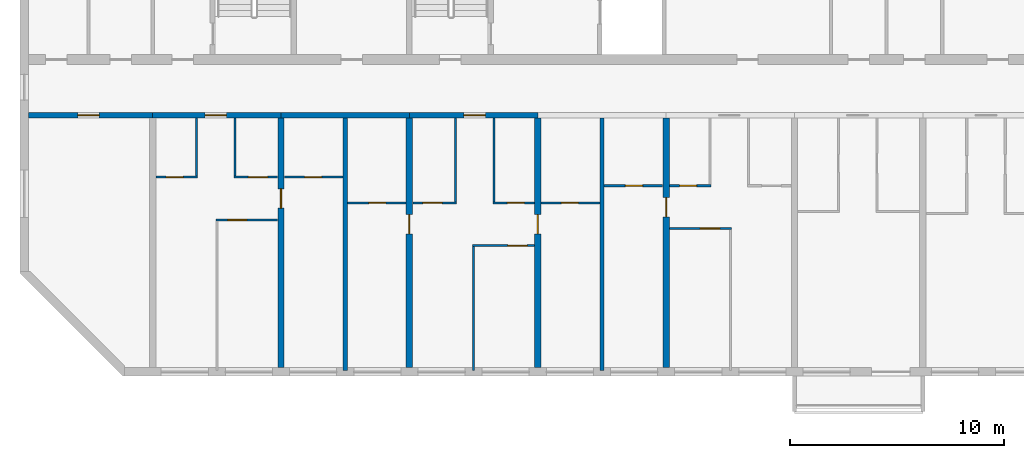
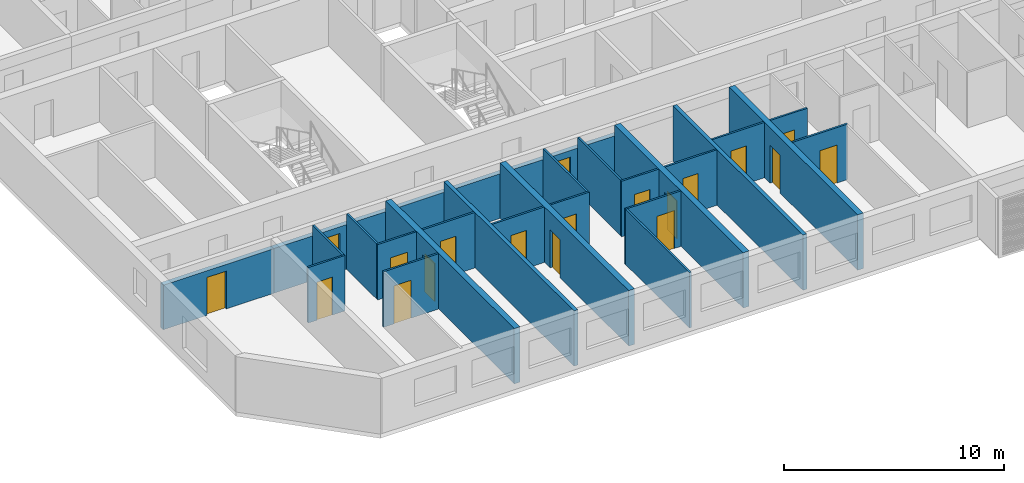
# One storey, part 2 of 31: 27 walls, 19 doors, 19 openings.
"""IFC4 building model written with IfcOpenShell, lengths in metres."""

from ifc_helpers import new_model, si_unit, direction, frame, frame_2d, origin, place, context, subcontext, project, spatial, rectangle, extrude, material, layer, layer_set, type_object, element, fill, save


model = new_model("IFC4")

# Units and contexts
model_context = context("Model", 3, precision=1e-05, world=origin(), true_north=direction((0.0, 1.0)))
body_context = subcontext(model_context, "Body", "Model", "MODEL_VIEW")
ifc_project = project(units=[si_unit("LENGTHUNIT", "METRE"), si_unit("AREAUNIT", "SQUARE_METRE"), si_unit("VOLUMEUNIT", "CUBIC_METRE"), si_unit("PLANEANGLEUNIT", "RADIAN"), si_unit("MASSUNIT", "GRAM", prefix="KILO")], contexts=[model_context])

# Site, building, storey
site_placement = place(None, origin())
site = spatial("IfcSite", under=ifc_project, at=site_placement, CompositionType="ELEMENT")
building_placement = place(site_placement, origin())
building = spatial("IfcBuilding", under=site, at=building_placement, Name="Poui Terraces", CompositionType="ELEMENT")
storey_placement = place(building_placement, frame((0.0, 0.0, 142.199951171875)))
storey = spatial("IfcBuildingStorey", under=building, at=storey_placement, Name="L39", CompositionType="ELEMENT", Elevation=142.199951171875)

# Wall, opening, door
ifc_material_1 = material(Name="Concrete 65 MPa", Category="concrete")
ifc_layer_1 = layer(ifc_material_1, 0.25)
ifc_layer_set_1 = layer_set([ifc_layer_1], Name="Concrete 65 MPa")
wall_type_1 = type_object("IfcWallType", Name="CORRIDOR WALL 250 65MPa", PredefinedType="SHEAR", material=ifc_layer_set_1)
wall_1_placement = place(storey_placement, frame((12.199951171875, 12.0, 0.0), z_axis=(0.0, 0.0, 1.0), x_axis=(1.0, 0.0, 0.0)))
wall_1 = element("IfcWall", 1, at=wall_1_placement, inside=storey, type_object=wall_type_1, Name="CORRIDOR WALL LINE B BAY 1", PredefinedType="SHEAR", context=body_context, shape_type="SweptSolid", body=[
    extrude(rectangle(XDim=5.800048828125, YDim=0.25, at=frame_2d((2.89990234375, 0.0))), origin(), (0.0, 0.0, 1.0), 2.469970703125),
])
opening_1_placement = place(wall_1_placement, frame((2.300048828125, 0.0, 0.0)))
opening_1 = element("IfcOpeningElement", 2, at=opening_1_placement, cuts=wall_1, Name="Opening D100", PredefinedType="OPENING", context=body_context, shape_type="SweptSolid", body=[
    extrude(rectangle(XDim=1.0, YDim=2.10009765625, at=frame_2d((0.5, 1.050048828125))), frame((0.0, 0.135009765625, 0.0), z_axis=(0.0, -1.0, 0.0), x_axis=(1.0, 0.0, 0.0)), (0.0, 0.0, 1.0), 0.27001953125),
])
ifc_material_2 = material(Name="Solid core timber door", Category="wood")
door_type_1 = type_object("IfcDoorType", Name="ACCESSIBLE INTERNAL DOOR 1000 X 2100", OperationType="NOTDEFINED", PredefinedType="DOOR", material=ifc_material_2)
door_1_placement = place(opening_1_placement, frame((1.0, 0.0, 0.0), z_axis=(0.0, 0.0, 1.0), x_axis=(-1.0, 0.0, 0.0)))
door_1 = element("IfcDoor", 3, at=door_1_placement, inside=storey, type_object=door_type_1, Name="ACCESSIBLE INTERNAL DOOR 077", OperationType="SINGLE_SWING_RIGHT", OverallHeight=2.10009765625, OverallWidth=1.0, PredefinedType="DOOR", context=body_context, shape_type="SweptSolid", body=[
    extrude(rectangle(XDim=1.0, YDim=2.10009765625, at=frame_2d((0.5, 1.050048828125))), frame((0.0, 0.02490234375, 0.0), z_axis=(0.0, -1.0, 0.0), x_axis=(1.0, 0.0, 0.0)), (0.0, 0.0, 1.0), 0.050048828125),
])
fill(opening_1, door_1)

wall_2_placement = place(storey_placement, frame((18.0, 12.0, 0.0), z_axis=(0.0, 0.0, 1.0), x_axis=(1.0, 0.0, 0.0)))
wall_2 = element("IfcWall", 4, at=wall_2_placement, inside=storey, type_object=wall_type_1, Name="CORRIDOR WALL LINE B BAY 2", PredefinedType="SHEAR", context=body_context, shape_type="SweptSolid", body=[
    extrude(rectangle(XDim=6.0, YDim=0.25, at=frame_2d((3.0, 0.0))), origin(), (0.0, 0.0, 1.0), 2.469970703125),
])
opening_2_placement = place(wall_2_placement, frame((2.449951171875, 0.0, 0.0)))
opening_2 = element("IfcOpeningElement", 5, at=opening_2_placement, cuts=wall_2, Name="Opening FD30S", PredefinedType="OPENING", context=body_context, shape_type="SweptSolid", body=[
    extrude(rectangle(XDim=1.0, YDim=2.10009765625, at=frame_2d((0.5, 1.050048828125))), frame((0.0, 0.135009765625, 0.0), z_axis=(0.0, -1.0, 0.0), x_axis=(1.0, 0.0, 0.0)), (0.0, 0.0, 1.0), 0.27001953125),
])
ifc_material_3 = material(Name="Steel fire door", Category="steel")
door_type_2 = type_object("IfcDoorType", Name="FLAT ENTRANCE DOOR 1000 X 2100", OperationType="NOTDEFINED", PredefinedType="DOOR", material=ifc_material_3)
door_2_placement = place(opening_2_placement, frame((1.0, 0.0, 0.0), z_axis=(0.0, 0.0, 1.0), x_axis=(-1.0, 0.0, 0.0)))
door_2 = element("IfcDoor", 6, at=door_2_placement, inside=storey, type_object=door_type_2, Name="FLAT ENTRANCE DOOR 080", OperationType="SINGLE_SWING_RIGHT", OverallHeight=2.10009765625, OverallWidth=1.0, PredefinedType="DOOR", context=body_context, shape_type="SweptSolid", body=[
    extrude(rectangle(XDim=1.0, YDim=2.10009765625, at=frame_2d((0.5, 1.050048828125))), frame((0.0, 0.02490234375, 0.0), z_axis=(0.0, -1.0, 0.0), x_axis=(1.0, 0.0, 0.0)), (0.0, 0.0, 1.0), 0.050048828125),
])
fill(opening_2, door_2)

# Wall
wall_3_placement = place(storey_placement, frame((24.0, 12.0, 0.0), z_axis=(0.0, 0.0, 1.0), x_axis=(1.0, 0.0, 0.0)))
element("IfcWall", 7, at=wall_3_placement, inside=storey, type_object=wall_type_1, Name="CORRIDOR WALL LINE B BAY 3", PredefinedType="SHEAR", context=body_context, shape_type="SweptSolid", body=[
    extrude(rectangle(XDim=6.0, YDim=0.25, at=frame_2d((3.0, 0.0))), origin(), (0.0, 0.0, 1.0), 2.469970703125),
])

# Wall, opening, door
wall_4_placement = place(storey_placement, frame((30.0, 12.0, 0.0), z_axis=(0.0, 0.0, 1.0), x_axis=(1.0, 0.0, 0.0)))
wall_4 = element("IfcWall", 8, at=wall_4_placement, inside=storey, type_object=wall_type_1, Name="CORRIDOR WALL LINE B BAY 4", PredefinedType="SHEAR", context=body_context, shape_type="SweptSolid", body=[
    extrude(rectangle(XDim=6.0, YDim=0.25, at=frame_2d((3.0, 0.0))), origin(), (0.0, 0.0, 1.0), 2.469970703125),
])
opening_3_placement = place(wall_4_placement, frame((2.550048828125, 0.0, 0.0)))
opening_3 = element("IfcOpeningElement", 9, at=opening_3_placement, cuts=wall_4, Name="Opening FD30S", PredefinedType="OPENING", context=body_context, shape_type="SweptSolid", body=[
    extrude(rectangle(XDim=1.0, YDim=2.10009765625, at=frame_2d((0.5, 1.050048828125))), frame((0.0, 0.135009765625, 0.0), z_axis=(0.0, -1.0, 0.0), x_axis=(1.0, 0.0, 0.0)), (0.0, 0.0, 1.0), 0.27001953125),
])
door_3_placement = place(opening_3_placement, frame((1.0, 0.0, 0.0), z_axis=(0.0, 0.0, 1.0), x_axis=(-1.0, 0.0, 0.0)))
door_3 = element("IfcDoor", 10, at=door_3_placement, inside=storey, type_object=door_type_2, Name="FLAT ENTRANCE DOOR 088", OperationType="SINGLE_SWING_LEFT", OverallHeight=2.10009765625, OverallWidth=1.0, PredefinedType="DOOR", context=body_context, shape_type="SweptSolid", body=[
    extrude(rectangle(XDim=1.0, YDim=2.10009765625, at=frame_2d((0.5, 1.050048828125))), frame((0.0, 0.02490234375, 0.0), z_axis=(0.0, -1.0, 0.0), x_axis=(1.0, 0.0, 0.0)), (0.0, 0.0, 1.0), 0.050048828125),
])
fill(opening_3, door_3)

ifc_layer_2 = layer(ifc_material_1, 0.300048828125)
ifc_layer_set_2 = layer_set([ifc_layer_2], Name="Concrete 65 MPa")
wall_type_2 = type_object("IfcWallType", Name="CROSS WALL 300 65MPa", PredefinedType="SHEAR", material=ifc_layer_set_2)
wall_5_placement = place(storey_placement, frame((24.0, 0.199951171875, 0.0), z_axis=(0.0, 0.0, 1.0), x_axis=(0.0, 1.0, 0.0)))
wall_5 = element("IfcWall", 11, at=wall_5_placement, inside=storey, type_object=wall_type_2, Name="CROSS WALL LINE 5 SOUTH", PredefinedType="SHEAR", context=body_context, shape_type="SweptSolid", body=[
    extrude(rectangle(XDim=11.675048828125, YDim=0.300048828125, at=frame_2d((5.83740234375, 0.0))), origin(), (0.0, 0.0, 1.0), 3.070068359375),
])
opening_4_placement = place(wall_5_placement, frame((7.449951171875, 0.0, 0.0)))
opening_4 = element("IfcOpeningElement", 12, at=opening_4_placement, cuts=wall_5, Name="Opening D90", PredefinedType="OPENING", context=body_context, shape_type="SweptSolid", body=[
    extrude(rectangle(XDim=0.89990234375, YDim=2.10009765625, at=frame_2d((0.449951171875, 1.050048828125))), frame((0.0, 0.16015625, 0.0), z_axis=(0.0, -1.0, 0.0), x_axis=(1.0, 0.0, 0.0)), (0.0, 0.0, 1.0), 0.320068359375),
])
door_type_3 = type_object("IfcDoorType", Name="INTERNAL DOOR 900 X 2100", OperationType="NOTDEFINED", PredefinedType="DOOR", material=ifc_material_2)
door_4_placement = place(opening_4_placement, frame((0.89990234375, 0.0, 0.0), z_axis=(0.0, 0.0, 1.0), x_axis=(-1.0, 0.0, 0.0)))
door_4 = element("IfcDoor", 13, at=door_4_placement, inside=storey, type_object=door_type_3, Name="INTERNAL DOOR 083", OperationType="SINGLE_SWING_LEFT", OverallHeight=2.10009765625, OverallWidth=0.89990234375, PredefinedType="DOOR", context=body_context, shape_type="SweptSolid", body=[
    extrude(rectangle(XDim=0.89990234375, YDim=2.10009765625, at=frame_2d((0.449951171875, 1.050048828125))), frame((0.0, 0.02490234375, 0.0), z_axis=(0.0, -1.0, 0.0), x_axis=(1.0, 0.0, 0.0)), (0.0, 0.0, 1.0), 0.050048828125),
])
fill(opening_4, door_4)

wall_6_placement = place(storey_placement, frame((30.0, 0.199951171875, 0.0), z_axis=(0.0, 0.0, 1.0), x_axis=(0.0, 1.0, 0.0)))
wall_6 = element("IfcWall", 14, at=wall_6_placement, inside=storey, type_object=wall_type_2, Name="CROSS WALL LINE 6 SOUTH", PredefinedType="SHEAR", context=body_context, shape_type="SweptSolid", body=[
    extrude(rectangle(XDim=11.675048828125, YDim=0.300048828125, at=frame_2d((5.83740234375, 0.0))), origin(), (0.0, 0.0, 1.0), 3.070068359375),
])
opening_5_placement = place(wall_6_placement, frame((6.25, 0.0, 0.0)))
opening_5 = element("IfcOpeningElement", 15, at=opening_5_placement, cuts=wall_6, Name="Opening D90", PredefinedType="OPENING", context=body_context, shape_type="SweptSolid", body=[
    extrude(rectangle(XDim=0.89990234375, YDim=2.10009765625, at=frame_2d((0.449951171875, 1.050048828125))), frame((0.0, 0.16015625, 0.0), z_axis=(0.0, -1.0, 0.0), x_axis=(1.0, 0.0, 0.0)), (0.0, 0.0, 1.0), 0.320068359375),
])
door_5_placement = place(opening_5_placement, origin())
door_5 = element("IfcDoor", 16, at=door_5_placement, inside=storey, type_object=door_type_3, Name="INTERNAL DOOR 086", OperationType="SINGLE_SWING_RIGHT", OverallHeight=2.10009765625, OverallWidth=0.89990234375, PredefinedType="DOOR", context=body_context, shape_type="SweptSolid", body=[
    extrude(rectangle(XDim=0.89990234375, YDim=2.10009765625, at=frame_2d((0.449951171875, 1.050048828125))), frame((0.0, 0.02490234375, 0.0), z_axis=(0.0, -1.0, 0.0), x_axis=(1.0, 0.0, 0.0)), (0.0, 0.0, 1.0), 0.050048828125),
])
fill(opening_5, door_5)

wall_7_placement = place(storey_placement, frame((36.0, 0.199951171875, 0.0), z_axis=(0.0, 0.0, 1.0), x_axis=(0.0, 1.0, 0.0)))
wall_7 = element("IfcWall", 17, at=wall_7_placement, inside=storey, type_object=wall_type_2, Name="CROSS WALL LINE 7 SOUTH", PredefinedType="SHEAR", context=body_context, shape_type="SweptSolid", body=[
    extrude(rectangle(XDim=11.675048828125, YDim=0.300048828125, at=frame_2d((5.83740234375, 0.0))), origin(), (0.0, 0.0, 1.0), 3.070068359375),
])
opening_6_placement = place(wall_7_placement, frame((6.25, 0.0, 0.0)))
opening_6 = element("IfcOpeningElement", 18, at=opening_6_placement, cuts=wall_7, Name="Opening D90", PredefinedType="OPENING", context=body_context, shape_type="SweptSolid", body=[
    extrude(rectangle(XDim=0.89990234375, YDim=2.10009765625, at=frame_2d((0.449951171875, 1.050048828125))), frame((0.0, 0.16015625, 0.0), z_axis=(0.0, -1.0, 0.0), x_axis=(1.0, 0.0, 0.0)), (0.0, 0.0, 1.0), 0.320068359375),
])
door_6_placement = place(opening_6_placement, frame((0.89990234375, 0.0, 0.0), z_axis=(0.0, 0.0, 1.0), x_axis=(-1.0, 0.0, 0.0)))
door_6 = element("IfcDoor", 19, at=door_6_placement, inside=storey, type_object=door_type_3, Name="INTERNAL DOOR 091", OperationType="SINGLE_SWING_LEFT", OverallHeight=2.10009765625, OverallWidth=0.89990234375, PredefinedType="DOOR", context=body_context, shape_type="SweptSolid", body=[
    extrude(rectangle(XDim=0.89990234375, YDim=2.10009765625, at=frame_2d((0.449951171875, 1.050048828125))), frame((0.0, 0.02490234375, 0.0), z_axis=(0.0, -1.0, 0.0), x_axis=(1.0, 0.0, 0.0)), (0.0, 0.0, 1.0), 0.050048828125),
])
fill(opening_6, door_6)

wall_8_placement = place(storey_placement, frame((42.0, 0.199951171875, 0.0), z_axis=(0.0, 0.0, 1.0), x_axis=(0.0, 1.0, 0.0)))
wall_8 = element("IfcWall", 20, at=wall_8_placement, inside=storey, type_object=wall_type_2, Name="CROSS WALL LINE 8 SOUTH", PredefinedType="SHEAR", context=body_context, shape_type="SweptSolid", body=[
    extrude(rectangle(XDim=11.675048828125, YDim=0.300048828125, at=frame_2d((5.83740234375, 0.0))), origin(), (0.0, 0.0, 1.0), 3.070068359375),
])
opening_7_placement = place(wall_8_placement, frame((7.050048828125, 0.0, 0.0)))
opening_7 = element("IfcOpeningElement", 21, at=opening_7_placement, cuts=wall_8, Name="Opening D90", PredefinedType="OPENING", context=body_context, shape_type="SweptSolid", body=[
    extrude(rectangle(XDim=0.89990234375, YDim=2.10009765625, at=frame_2d((0.449951171875, 1.050048828125))), frame((0.0, 0.16015625, 0.0), z_axis=(0.0, -1.0, 0.0), x_axis=(1.0, 0.0, 0.0)), (0.0, 0.0, 1.0), 0.320068359375),
])
door_7_placement = place(opening_7_placement, origin())
door_7 = element("IfcDoor", 22, at=door_7_placement, inside=storey, type_object=door_type_3, Name="INTERNAL DOOR 093", OperationType="SINGLE_SWING_RIGHT", OverallHeight=2.10009765625, OverallWidth=0.89990234375, PredefinedType="DOOR", context=body_context, shape_type="SweptSolid", body=[
    extrude(rectangle(XDim=0.89990234375, YDim=2.10009765625, at=frame_2d((0.449951171875, 1.050048828125))), frame((0.0, 0.02490234375, 0.0), z_axis=(0.0, -1.0, 0.0), x_axis=(1.0, 0.0, 0.0)), (0.0, 0.0, 1.0), 0.050048828125),
])
fill(opening_7, door_7)

ifc_material_4 = material(Name="Plasterboard partition")
ifc_layer_3 = layer(ifc_material_4, 0.10009765625)
ifc_layer_set_3 = layer_set([ifc_layer_3], Name="Plasterboard partition")
wall_type_3 = type_object("IfcWallType", Name="FLAT PARTITION 100", PredefinedType="PARTITIONING", material=ifc_layer_set_3)
wall_9_placement = place(storey_placement, frame((32.949951171875, 5.89990234375, 0.0), z_axis=(0.0, 0.0, 1.0), x_axis=(1.0, 0.0, 0.0)))
wall_9 = element("IfcWall", 23, at=wall_9_placement, inside=storey, type_object=wall_type_3, Name="FLAT PARTITION 100", PredefinedType="PARTITIONING", context=body_context, shape_type="SweptSolid", body=[
    extrude(rectangle(XDim=2.89013671875, YDim=0.10009765625, at=frame_2d((1.445068359375, 0.0))), origin(), (0.0, 0.0, 1.0), 3.070068359375),
])
opening_8_placement = place(wall_9_placement, frame((1.64990234375, 0.0, 0.0)))
opening_8 = element("IfcOpeningElement", 24, at=opening_8_placement, cuts=wall_9, Name="Opening D90", PredefinedType="OPENING", context=body_context, shape_type="SweptSolid", body=[
    extrude(rectangle(XDim=0.89990234375, YDim=2.10009765625, at=frame_2d((0.449951171875, 1.050048828125))), frame((0.0, 0.06005859375, 0.0), z_axis=(0.0, -1.0, 0.0), x_axis=(1.0, 0.0, 0.0)), (0.0, 0.0, 1.0), 0.1201171875),
])
door_8_placement = place(opening_8_placement, origin())
door_8 = element("IfcDoor", 25, at=door_8_placement, inside=storey, type_object=door_type_3, Name="INTERNAL DOOR 090", OperationType="SINGLE_SWING_LEFT", OverallHeight=2.10009765625, OverallWidth=0.89990234375, PredefinedType="DOOR", context=body_context, shape_type="SweptSolid", body=[
    extrude(rectangle(XDim=0.89990234375, YDim=2.10009765625, at=frame_2d((0.449951171875, 1.050048828125))), frame((0.0, 0.02490234375, 0.0), z_axis=(0.0, -1.0, 0.0), x_axis=(1.0, 0.0, 0.0)), (0.0, 0.0, 1.0), 0.050048828125),
])
fill(opening_8, door_8)

wall_10_placement = place(storey_placement, frame((42.159912109375, 6.699951171875, 0.0), z_axis=(0.0, 0.0, 1.0), x_axis=(1.0, 0.0, 0.0)))
wall_10 = element("IfcWall", 26, at=wall_10_placement, inside=storey, type_object=wall_type_3, Name="FLAT PARTITION 100", PredefinedType="PARTITIONING", context=body_context, shape_type="SweptSolid", body=[
    extrude(rectangle(XDim=2.89013671875, YDim=0.10009765625, at=frame_2d((1.445068359375, 0.0))), origin(), (0.0, 0.0, 1.0), 3.070068359375),
])
opening_9_placement = place(wall_10_placement, frame((1.43994140625, 0.0, 0.0)))
opening_9 = element("IfcOpeningElement", 27, at=opening_9_placement, cuts=wall_10, Name="Opening D90", PredefinedType="OPENING", context=body_context, shape_type="SweptSolid", body=[
    extrude(rectangle(XDim=0.89990234375, YDim=2.10009765625, at=frame_2d((0.449951171875, 1.050048828125))), frame((0.0, 0.06005859375, 0.0), z_axis=(0.0, -1.0, 0.0), x_axis=(1.0, 0.0, 0.0)), (0.0, 0.0, 1.0), 0.1201171875),
])
door_9_placement = place(opening_9_placement, origin())
door_9 = element("IfcDoor", 28, at=door_9_placement, inside=storey, type_object=door_type_3, Name="INTERNAL DOOR 095", OperationType="SINGLE_SWING_LEFT", OverallHeight=2.10009765625, OverallWidth=0.89990234375, PredefinedType="DOOR", context=body_context, shape_type="SweptSolid", body=[
    extrude(rectangle(XDim=0.89990234375, YDim=2.10009765625, at=frame_2d((0.449951171875, 1.050048828125))), frame((0.0, 0.02490234375, 0.0), z_axis=(0.0, -1.0, 0.0), x_axis=(1.0, 0.0, 0.0)), (0.0, 0.0, 1.0), 0.050048828125),
])
fill(opening_9, door_9)

wall_11_placement = place(storey_placement, frame((20.949951171875, 7.10009765625, 0.0), z_axis=(0.0, 0.0, 1.0), x_axis=(1.0, 0.0, 0.0)))
wall_11 = element("IfcWall", 29, at=wall_11_placement, inside=storey, type_object=wall_type_3, Name="FLAT PARTITION 100", PredefinedType="PARTITIONING", context=body_context, shape_type="SweptSolid", body=[
    extrude(rectangle(XDim=2.89013671875, YDim=0.10009765625, at=frame_2d((1.445068359375, 0.0))), origin(), (0.0, 0.0, 1.0), 3.070068359375),
])
opening_10_placement = place(wall_11_placement, frame((0.550048828125, 0.0, 0.0)))
opening_10 = element("IfcOpeningElement", 30, at=opening_10_placement, cuts=wall_11, Name="Opening D90", PredefinedType="OPENING", context=body_context, shape_type="SweptSolid", body=[
    extrude(rectangle(XDim=0.89990234375, YDim=2.10009765625, at=frame_2d((0.449951171875, 1.050048828125))), frame((0.0, 0.06005859375, 0.0), z_axis=(0.0, -1.0, 0.0), x_axis=(1.0, 0.0, 0.0)), (0.0, 0.0, 1.0), 0.1201171875),
])
door_10_placement = place(opening_10_placement, origin())
door_10 = element("IfcDoor", 31, at=door_10_placement, inside=storey, type_object=door_type_3, Name="INTERNAL DOOR 081", OperationType="SINGLE_SWING_RIGHT", OverallHeight=2.10009765625, OverallWidth=0.89990234375, PredefinedType="DOOR", context=body_context, shape_type="SweptSolid", body=[
    extrude(rectangle(XDim=0.89990234375, YDim=2.10009765625, at=frame_2d((0.449951171875, 1.050048828125))), frame((0.0, 0.02490234375, 0.0), z_axis=(0.0, -1.0, 0.0), x_axis=(1.0, 0.0, 0.0)), (0.0, 0.0, 1.0), 0.050048828125),
])
fill(opening_10, door_10)

wall_12_placement = place(storey_placement, frame((27.10009765625, 7.89990234375, 0.0), z_axis=(0.0, 0.0, 1.0), x_axis=(1.0, 0.0, 0.0)))
wall_12 = element("IfcWall", 32, at=wall_12_placement, inside=storey, type_object=wall_type_3, Name="FLAT PARTITION 100", PredefinedType="PARTITIONING", context=body_context, shape_type="SweptSolid", body=[
    extrude(rectangle(XDim=2.739990234375, YDim=0.10009765625, at=frame_2d((1.3701171875, 0.0))), origin(), (0.0, 0.0, 1.0), 3.070068359375),
])
opening_11_placement = place(wall_12_placement, frame((1.0, 0.0, 0.0)))
opening_11 = element("IfcOpeningElement", 33, at=opening_11_placement, cuts=wall_12, Name="Opening D80", PredefinedType="OPENING", context=body_context, shape_type="SweptSolid", body=[
    extrude(rectangle(XDim=0.800048828125, YDim=2.10009765625, at=frame_2d((0.39990234375, 1.050048828125))), frame((0.0, 0.06005859375, 0.0), z_axis=(0.0, -1.0, 0.0), x_axis=(1.0, 0.0, 0.0)), (0.0, 0.0, 1.0), 0.1201171875),
])
door_type_4 = type_object("IfcDoorType", Name="BATHROOM, LAUNDRY AND STORE DOOR 800 X 2100", OperationType="NOTDEFINED", PredefinedType="DOOR", material=ifc_material_2)
door_11_placement = place(opening_11_placement, origin())
door_11 = element("IfcDoor", 34, at=door_11_placement, inside=storey, type_object=door_type_4, Name="BATHROOM, LAUNDRY AND STORE DOOR 084", OperationType="SINGLE_SWING_LEFT", OverallHeight=2.10009765625, OverallWidth=0.800048828125, PredefinedType="DOOR", context=body_context, shape_type="SweptSolid", body=[
    extrude(rectangle(XDim=0.800048828125, YDim=2.10009765625, at=frame_2d((0.39990234375, 1.050048828125))), frame((0.0, 0.02490234375, 0.0), z_axis=(0.0, -1.0, 0.0), x_axis=(1.0, 0.0, 0.0)), (0.0, 0.0, 1.0), 0.050048828125),
])
fill(opening_11, door_11)

wall_13_placement = place(storey_placement, frame((30.159912109375, 7.89990234375, 0.0), z_axis=(0.0, 0.0, 1.0), x_axis=(1.0, 0.0, 0.0)))
wall_13 = element("IfcWall", 35, at=wall_13_placement, inside=storey, type_object=wall_type_3, Name="FLAT PARTITION 100", PredefinedType="PARTITIONING", context=body_context, shape_type="SweptSolid", body=[
    extrude(rectangle(XDim=2.0400390625, YDim=0.10009765625, at=frame_2d((1.02001953125, 0.0))), origin(), (0.0, 0.0, 1.0), 3.070068359375),
])
opening_12_placement = place(wall_13_placement, frame((0.465087890625, 0.0, 0.0)))
opening_12 = element("IfcOpeningElement", 36, at=opening_12_placement, cuts=wall_13, Name="Opening D90", PredefinedType="OPENING", context=body_context, shape_type="SweptSolid", body=[
    extrude(rectangle(XDim=0.89990234375, YDim=2.10009765625, at=frame_2d((0.449951171875, 1.050048828125))), frame((0.0, 0.06005859375, 0.0), z_axis=(0.0, -1.0, 0.0), x_axis=(1.0, 0.0, 0.0)), (0.0, 0.0, 1.0), 0.1201171875),
])
door_12_placement = place(opening_12_placement, origin())
door_12 = element("IfcDoor", 37, at=door_12_placement, inside=storey, type_object=door_type_3, Name="INTERNAL DOOR 087", OperationType="SINGLE_SWING_LEFT", OverallHeight=2.10009765625, OverallWidth=0.89990234375, PredefinedType="DOOR", context=body_context, shape_type="SweptSolid", body=[
    extrude(rectangle(XDim=0.89990234375, YDim=2.10009765625, at=frame_2d((0.449951171875, 1.050048828125))), frame((0.0, 0.02490234375, 0.0), z_axis=(0.0, -1.0, 0.0), x_axis=(1.0, 0.0, 0.0)), (0.0, 0.0, 1.0), 0.050048828125),
])
fill(opening_12, door_12)

wall_14_placement = place(storey_placement, frame((33.89990234375, 7.89990234375, 0.0), z_axis=(0.0, 0.0, 1.0), x_axis=(1.0, 0.0, 0.0)))
wall_14 = element("IfcWall", 38, at=wall_14_placement, inside=storey, type_object=wall_type_3, Name="FLAT PARTITION 100", PredefinedType="PARTITIONING", context=body_context, shape_type="SweptSolid", body=[
    extrude(rectangle(XDim=1.940185546875, YDim=0.10009765625, at=frame_2d((0.97021484375, 0.0))), origin(), (0.0, 0.0, 1.0), 3.070068359375),
])
opening_13_placement = place(wall_14_placement, frame((0.675048828125, 0.0, 0.0)))
opening_13 = element("IfcOpeningElement", 39, at=opening_13_placement, cuts=wall_14, Name="Opening D80", PredefinedType="OPENING", context=body_context, shape_type="SweptSolid", body=[
    extrude(rectangle(XDim=0.800048828125, YDim=2.10009765625, at=frame_2d((0.39990234375, 1.050048828125))), frame((0.0, 0.06005859375, 0.0), z_axis=(0.0, -1.0, 0.0), x_axis=(1.0, 0.0, 0.0)), (0.0, 0.0, 1.0), 0.1201171875),
])
door_13_placement = place(opening_13_placement, origin())
door_13 = element("IfcDoor", 40, at=door_13_placement, inside=storey, type_object=door_type_4, Name="BATHROOM, LAUNDRY AND STORE DOOR 089", OperationType="SINGLE_SWING_RIGHT", OverallHeight=2.10009765625, OverallWidth=0.800048828125, PredefinedType="DOOR", context=body_context, shape_type="SweptSolid", body=[
    extrude(rectangle(XDim=0.800048828125, YDim=2.10009765625, at=frame_2d((0.39990234375, 1.050048828125))), frame((0.0, 0.02490234375, 0.0), z_axis=(0.0, -1.0, 0.0), x_axis=(1.0, 0.0, 0.0)), (0.0, 0.0, 1.0), 0.050048828125),
])
fill(opening_13, door_13)

wall_15_placement = place(storey_placement, frame((36.159912109375, 7.89990234375, 0.0), z_axis=(0.0, 0.0, 1.0), x_axis=(1.0, 0.0, 0.0)))
wall_15 = element("IfcWall", 41, at=wall_15_placement, inside=storey, type_object=wall_type_3, Name="FLAT PARTITION 100", PredefinedType="PARTITIONING", context=body_context, shape_type="SweptSolid", body=[
    extrude(rectangle(XDim=2.739990234375, YDim=0.10009765625, at=frame_2d((1.3701171875, 0.0))), origin(), (0.0, 0.0, 1.0), 3.070068359375),
])
opening_14_placement = place(wall_15_placement, frame((0.93994140625, 0.0, 0.0)))
opening_14 = element("IfcOpeningElement", 42, at=opening_14_placement, cuts=wall_15, Name="Opening D80", PredefinedType="OPENING", context=body_context, shape_type="SweptSolid", body=[
    extrude(rectangle(XDim=0.800048828125, YDim=2.10009765625, at=frame_2d((0.39990234375, 1.050048828125))), frame((0.0, 0.06005859375, 0.0), z_axis=(0.0, -1.0, 0.0), x_axis=(1.0, 0.0, 0.0)), (0.0, 0.0, 1.0), 0.1201171875),
])
door_14_placement = place(opening_14_placement, origin())
door_14 = element("IfcDoor", 43, at=door_14_placement, inside=storey, type_object=door_type_4, Name="BATHROOM, LAUNDRY AND STORE DOOR 085", OperationType="SINGLE_SWING_LEFT", OverallHeight=2.10009765625, OverallWidth=0.800048828125, PredefinedType="DOOR", context=body_context, shape_type="SweptSolid", body=[
    extrude(rectangle(XDim=0.800048828125, YDim=2.10009765625, at=frame_2d((0.39990234375, 1.050048828125))), frame((0.0, 0.02490234375, 0.0), z_axis=(0.0, -1.0, 0.0), x_axis=(1.0, 0.0, 0.0)), (0.0, 0.0, 1.0), 0.050048828125),
])
fill(opening_14, door_14)

wall_16_placement = place(storey_placement, frame((39.10009765625, 8.699951171875, 0.0), z_axis=(0.0, 0.0, 1.0), x_axis=(1.0, 0.0, 0.0)))
wall_16 = element("IfcWall", 44, at=wall_16_placement, inside=storey, type_object=wall_type_3, Name="FLAT PARTITION 100", PredefinedType="PARTITIONING", context=body_context, shape_type="SweptSolid", body=[
    extrude(rectangle(XDim=2.739990234375, YDim=0.10009765625, at=frame_2d((1.3701171875, 0.0))), origin(), (0.0, 0.0, 1.0), 3.070068359375),
])
opening_15_placement = place(wall_16_placement, frame((1.0, 0.0, 0.0)))
opening_15 = element("IfcOpeningElement", 45, at=opening_15_placement, cuts=wall_16, Name="Opening D80", PredefinedType="OPENING", context=body_context, shape_type="SweptSolid", body=[
    extrude(rectangle(XDim=0.800048828125, YDim=2.10009765625, at=frame_2d((0.39990234375, 1.050048828125))), frame((0.0, 0.06005859375, 0.0), z_axis=(0.0, -1.0, 0.0), x_axis=(1.0, 0.0, 0.0)), (0.0, 0.0, 1.0), 0.1201171875),
])
door_15_placement = place(opening_15_placement, origin())
door_15 = element("IfcDoor", 46, at=door_15_placement, inside=storey, type_object=door_type_4, Name="BATHROOM, LAUNDRY AND STORE DOOR 092", OperationType="SINGLE_SWING_RIGHT", OverallHeight=2.10009765625, OverallWidth=0.800048828125, PredefinedType="DOOR", context=body_context, shape_type="SweptSolid", body=[
    extrude(rectangle(XDim=0.800048828125, YDim=2.10009765625, at=frame_2d((0.39990234375, 1.050048828125))), frame((0.0, 0.02490234375, 0.0), z_axis=(0.0, -1.0, 0.0), x_axis=(1.0, 0.0, 0.0)), (0.0, 0.0, 1.0), 0.050048828125),
])
fill(opening_15, door_15)

wall_17_placement = place(storey_placement, frame((42.159912109375, 8.699951171875, 0.0), z_axis=(0.0, 0.0, 1.0), x_axis=(1.0, 0.0, 0.0)))
wall_17 = element("IfcWall", 47, at=wall_17_placement, inside=storey, type_object=wall_type_3, Name="FLAT PARTITION 100", PredefinedType="PARTITIONING", context=body_context, shape_type="SweptSolid", body=[
    extrude(rectangle(XDim=1.940185546875, YDim=0.10009765625, at=frame_2d((0.97021484375, 0.0))), origin(), (0.0, 0.0, 1.0), 3.070068359375),
])
opening_16_placement = place(wall_17_placement, frame((0.465087890625, 0.0, 0.0)))
opening_16 = element("IfcOpeningElement", 48, at=opening_16_placement, cuts=wall_17, Name="Opening D80", PredefinedType="OPENING", context=body_context, shape_type="SweptSolid", body=[
    extrude(rectangle(XDim=0.800048828125, YDim=2.10009765625, at=frame_2d((0.39990234375, 1.050048828125))), frame((0.0, 0.06005859375, 0.0), z_axis=(0.0, -1.0, 0.0), x_axis=(1.0, 0.0, 0.0)), (0.0, 0.0, 1.0), 0.1201171875),
])
door_16_placement = place(opening_16_placement, origin())
door_16 = element("IfcDoor", 49, at=door_16_placement, inside=storey, type_object=door_type_4, Name="BATHROOM, LAUNDRY AND STORE DOOR 094", OperationType="SINGLE_SWING_RIGHT", OverallHeight=2.10009765625, OverallWidth=0.800048828125, PredefinedType="DOOR", context=body_context, shape_type="SweptSolid", body=[
    extrude(rectangle(XDim=0.800048828125, YDim=2.10009765625, at=frame_2d((0.39990234375, 1.050048828125))), frame((0.0, 0.02490234375, 0.0), z_axis=(0.0, -1.0, 0.0), x_axis=(1.0, 0.0, 0.0)), (0.0, 0.0, 1.0), 0.050048828125),
])
fill(opening_16, door_16)

wall_18_placement = place(storey_placement, frame((18.159912109375, 9.10009765625, 0.0), z_axis=(0.0, 0.0, 1.0), x_axis=(1.0, 0.0, 0.0)))
wall_18 = element("IfcWall", 50, at=wall_18_placement, inside=storey, type_object=wall_type_3, Name="FLAT PARTITION 100", PredefinedType="PARTITIONING", context=body_context, shape_type="SweptSolid", body=[
    extrude(rectangle(XDim=1.940185546875, YDim=0.10009765625, at=frame_2d((0.97021484375, 0.0))), origin(), (0.0, 0.0, 1.0), 3.070068359375),
])
opening_17_placement = place(wall_18_placement, frame((0.465087890625, 0.0, 0.0)))
opening_17 = element("IfcOpeningElement", 51, at=opening_17_placement, cuts=wall_18, Name="Opening D80", PredefinedType="OPENING", context=body_context, shape_type="SweptSolid", body=[
    extrude(rectangle(XDim=0.800048828125, YDim=2.10009765625, at=frame_2d((0.39990234375, 1.050048828125))), frame((0.0, 0.06005859375, 0.0), z_axis=(0.0, -1.0, 0.0), x_axis=(1.0, 0.0, 0.0)), (0.0, 0.0, 1.0), 0.1201171875),
])
door_17_placement = place(opening_17_placement, origin())
door_17 = element("IfcDoor", 52, at=door_17_placement, inside=storey, type_object=door_type_4, Name="BATHROOM, LAUNDRY AND STORE DOOR 079", OperationType="SINGLE_SWING_RIGHT", OverallHeight=2.10009765625, OverallWidth=0.800048828125, PredefinedType="DOOR", context=body_context, shape_type="SweptSolid", body=[
    extrude(rectangle(XDim=0.800048828125, YDim=2.10009765625, at=frame_2d((0.39990234375, 1.050048828125))), frame((0.0, 0.02490234375, 0.0), z_axis=(0.0, -1.0, 0.0), x_axis=(1.0, 0.0, 0.0)), (0.0, 0.0, 1.0), 0.050048828125),
])
fill(opening_17, door_17)

wall_19_placement = place(storey_placement, frame((21.800048828125, 9.10009765625, 0.0), z_axis=(0.0, 0.0, 1.0), x_axis=(1.0, 0.0, 0.0)))
wall_19 = element("IfcWall", 53, at=wall_19_placement, inside=storey, type_object=wall_type_3, Name="FLAT PARTITION 100", PredefinedType="PARTITIONING", context=body_context, shape_type="SweptSolid", body=[
    extrude(rectangle(XDim=2.0400390625, YDim=0.10009765625, at=frame_2d((1.02001953125, 0.0))), origin(), (0.0, 0.0, 1.0), 3.070068359375),
])
opening_18_placement = place(wall_19_placement, frame((0.675048828125, 0.0, 0.0)))
opening_18 = element("IfcOpeningElement", 54, at=opening_18_placement, cuts=wall_19, Name="Opening D90", PredefinedType="OPENING", context=body_context, shape_type="SweptSolid", body=[
    extrude(rectangle(XDim=0.89990234375, YDim=2.10009765625, at=frame_2d((0.449951171875, 1.050048828125))), frame((0.0, 0.06005859375, 0.0), z_axis=(0.0, -1.0, 0.0), x_axis=(1.0, 0.0, 0.0)), (0.0, 0.0, 1.0), 0.1201171875),
])
door_18_placement = place(opening_18_placement, origin())
door_18 = element("IfcDoor", 55, at=door_18_placement, inside=storey, type_object=door_type_3, Name="INTERNAL DOOR 082", OperationType="SINGLE_SWING_LEFT", OverallHeight=2.10009765625, OverallWidth=0.89990234375, PredefinedType="DOOR", context=body_context, shape_type="SweptSolid", body=[
    extrude(rectangle(XDim=0.89990234375, YDim=2.10009765625, at=frame_2d((0.449951171875, 1.050048828125))), frame((0.0, 0.02490234375, 0.0), z_axis=(0.0, -1.0, 0.0), x_axis=(1.0, 0.0, 0.0)), (0.0, 0.0, 1.0), 0.050048828125),
])
fill(opening_18, door_18)

wall_20_placement = place(storey_placement, frame((24.159912109375, 9.10009765625, 0.0), z_axis=(0.0, 0.0, 1.0), x_axis=(1.0, 0.0, 0.0)))
wall_20 = element("IfcWall", 56, at=wall_20_placement, inside=storey, type_object=wall_type_3, Name="FLAT PARTITION 100", PredefinedType="PARTITIONING", context=body_context, shape_type="SweptSolid", body=[
    extrude(rectangle(XDim=2.739990234375, YDim=0.10009765625, at=frame_2d((1.3701171875, 0.0))), origin(), (0.0, 0.0, 1.0), 3.070068359375),
])
opening_19_placement = place(wall_20_placement, frame((0.93994140625, 0.0, 0.0)))
opening_19 = element("IfcOpeningElement", 57, at=opening_19_placement, cuts=wall_20, Name="Opening D80", PredefinedType="OPENING", context=body_context, shape_type="SweptSolid", body=[
    extrude(rectangle(XDim=0.800048828125, YDim=2.10009765625, at=frame_2d((0.39990234375, 1.050048828125))), frame((0.0, 0.06005859375, 0.0), z_axis=(0.0, -1.0, 0.0), x_axis=(1.0, 0.0, 0.0)), (0.0, 0.0, 1.0), 0.1201171875),
])
door_19_placement = place(opening_19_placement, origin())
door_19 = element("IfcDoor", 58, at=door_19_placement, inside=storey, type_object=door_type_4, Name="BATHROOM, LAUNDRY AND STORE DOOR 078", OperationType="SINGLE_SWING_RIGHT", OverallHeight=2.10009765625, OverallWidth=0.800048828125, PredefinedType="DOOR", context=body_context, shape_type="SweptSolid", body=[
    extrude(rectangle(XDim=0.800048828125, YDim=2.10009765625, at=frame_2d((0.39990234375, 1.050048828125))), frame((0.0, 0.02490234375, 0.0), z_axis=(0.0, -1.0, 0.0), x_axis=(1.0, 0.0, 0.0)), (0.0, 0.0, 1.0), 0.050048828125),
])
fill(opening_19, door_19)

# Walls
for number, where, z_axis, x_axis, name in (
    (59, (20.050048828125, 9.14990234375, 0.0), (0.0, 0.0, 1.0), (0.0, 1.0, 0.0), "FLAT PARTITION 100"),
    (60, (21.85009765625, 9.14990234375, 0.0), (0.0, 0.0, 1.0), (0.0, 1.0, 0.0), "FLAT PARTITION 100"),
):
    element("IfcWall", number, at=place(storey_placement, frame(where, z_axis=z_axis, x_axis=x_axis)), inside=storey, type_object=wall_type_3, Name=name, PredefinedType="PARTITIONING", context=body_context, shape_type="SweptSolid", body=[
        extrude(rectangle(XDim=2.715087890625, YDim=0.10009765625, at=frame_2d((1.357421875, 0.0))), origin(), (0.0, 0.0, 1.0), 3.070068359375),
    ])
wall_21_placement = place(storey_placement, frame((32.14990234375, 7.949951171875, 0.0), z_axis=(0.0, 0.0, 1.0), x_axis=(0.0, 1.0, 0.0)))
element("IfcWall", 61, at=wall_21_placement, inside=storey, type_object=wall_type_3, Name="FLAT PARTITION 100", PredefinedType="PARTITIONING", context=body_context, shape_type="SweptSolid", body=[
    extrude(rectangle(XDim=3.9150390625, YDim=0.10009765625, at=frame_2d((1.95751953125, 0.0))), origin(), (0.0, 0.0, 1.0), 3.070068359375),
])
wall_22_placement = place(storey_placement, frame((33.0, 0.06005859375, 0.0), z_axis=(0.0, 0.0, 1.0), x_axis=(0.0, 1.0, 0.0)))
element("IfcWall", 62, at=wall_22_placement, inside=storey, type_object=wall_type_3, Name="FLAT PARTITION 100", PredefinedType="PARTITIONING", context=body_context, shape_type="SweptSolid", body=[
    extrude(rectangle(XDim=5.7900390625, YDim=0.10009765625, at=frame_2d((2.89501953125, 0.0))), origin(), (0.0, 0.0, 1.0), 3.070068359375),
])
wall_23_placement = place(storey_placement, frame((33.949951171875, 7.949951171875, 0.0), z_axis=(0.0, 0.0, 1.0), x_axis=(0.0, 1.0, 0.0)))
element("IfcWall", 63, at=wall_23_placement, inside=storey, type_object=wall_type_3, Name="FLAT PARTITION 100", PredefinedType="PARTITIONING", context=body_context, shape_type="SweptSolid", body=[
    extrude(rectangle(XDim=3.9150390625, YDim=0.10009765625, at=frame_2d((1.95751953125, 0.0))), origin(), (0.0, 0.0, 1.0), 3.070068359375),
])
ifc_material_5 = material(Name="Fire-rated masonry wall", Category="masonry")
ifc_layer_4 = layer(ifc_material_5, 0.199951171875)
ifc_layer_set_4 = layer_set([ifc_layer_4], Name="Fire-rated masonry wall")
wall_type_4 = type_object("IfcWallType", Name="FLAT PARTY WALL 200", PredefinedType="PARTITIONING", material=ifc_layer_set_4)
for number, where, z_axis, x_axis, name in (
    (64, (27.0, 0.06005859375, 0.0), (0.0, 0.0, 1.0), (0.0, 1.0, 0.0), "FLAT PARTY WALL 200"),
    (65, (39.0, 0.06005859375, 0.0), (0.0, 0.0, 1.0), (0.0, 1.0, 0.0), "FLAT PARTY WALL 200"),
):
    element("IfcWall", number, at=place(storey_placement, frame(where, z_axis=z_axis, x_axis=x_axis)), inside=storey, type_object=wall_type_4, Name=name, PredefinedType="PARTITIONING", context=body_context, shape_type="SweptSolid", body=[
        extrude(rectangle(XDim=11.804931640625, YDim=0.199951171875, at=frame_2d((5.90234375, 0.0))), origin(), (0.0, 0.0, 1.0), 3.070068359375),
    ])

save(model, "model.ifc")
